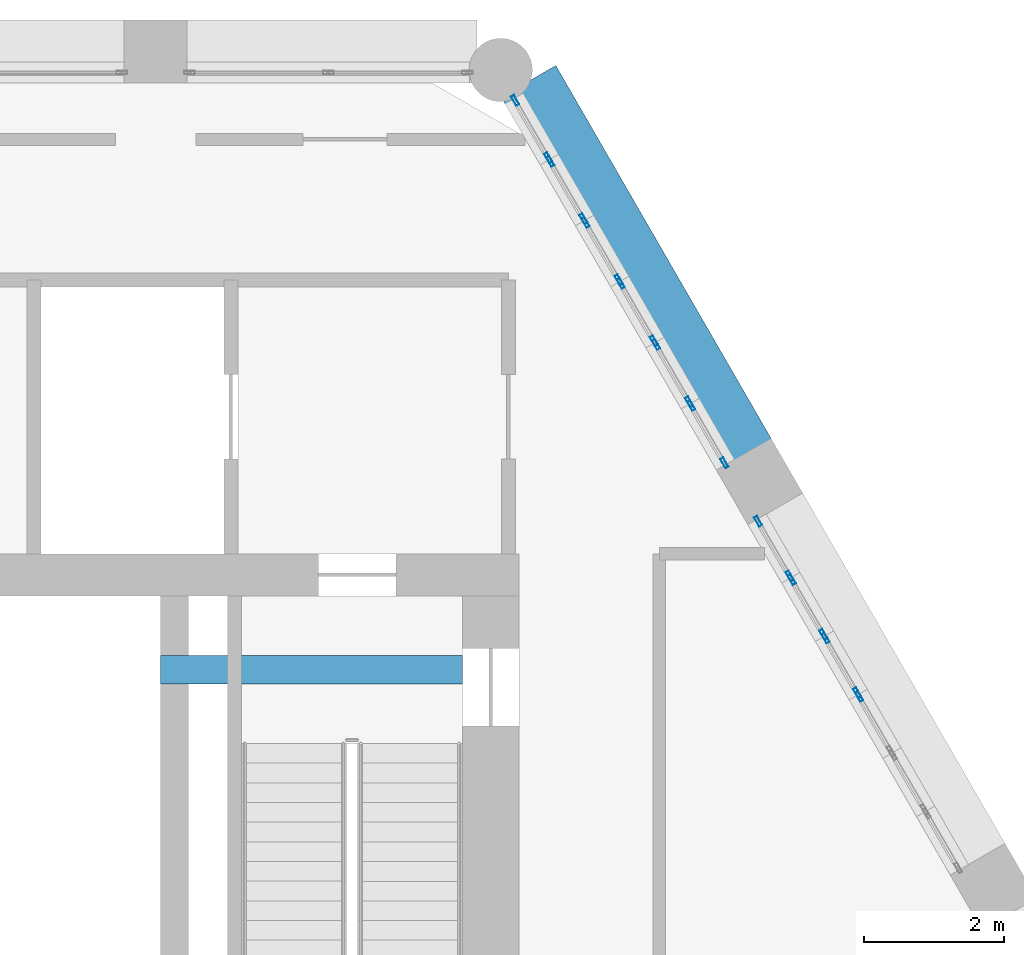
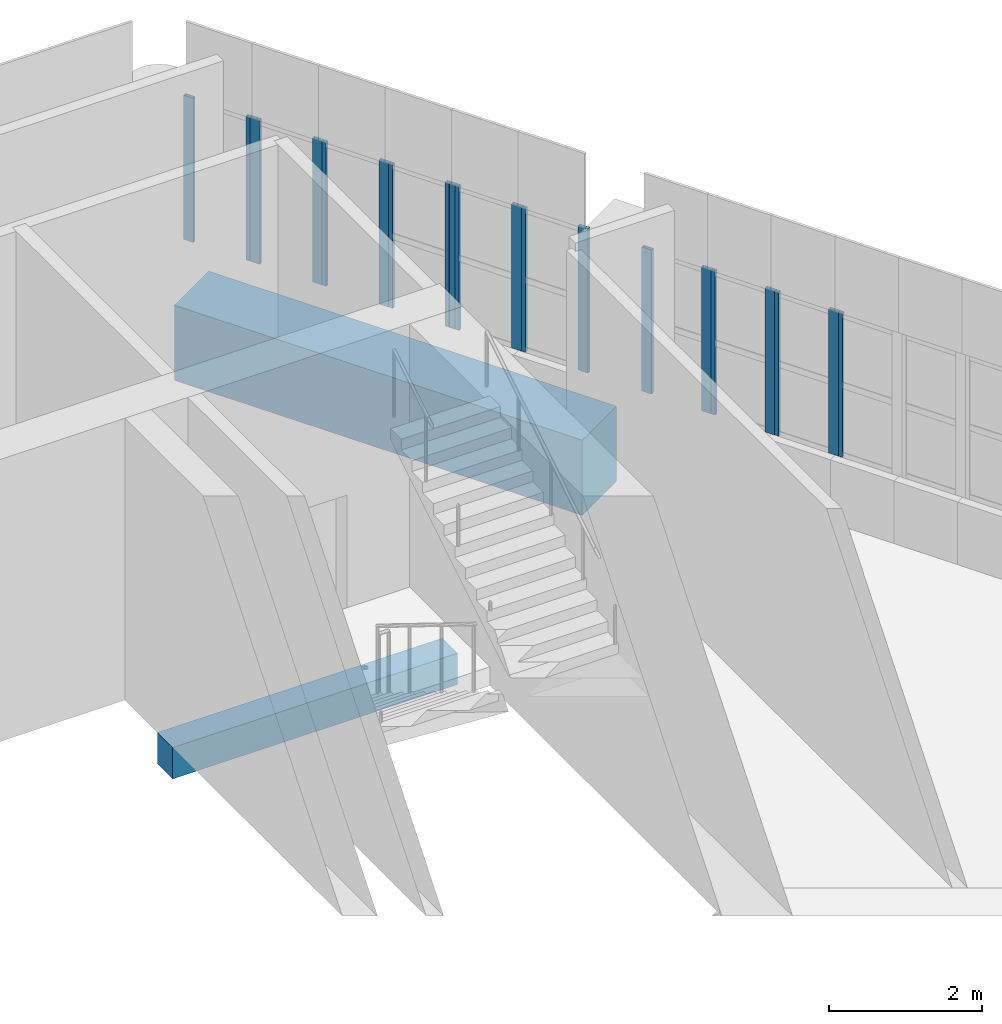
# One storey, part 9 of 25: 19 members, 2 beams, 10 elements without a shape of their own.
"""IFC4 building model written with IfcOpenShell, lengths in metres."""

from ifc_helpers import new_model, si_unit, direction, frame, origin, origin_2d, place, context, subcontext, project, spatial, rectangle, hollow_rectangle, extrude, material, material_profile, profile_set, type_object, element, aggregate, save


model = new_model("IFC4")

# Units and contexts
model_context = context("Model", 3, precision=1e-05, world=origin(), true_north=direction((0.0, 1.0)))
body_context = subcontext(model_context, "Body", "Model", "MODEL_VIEW")
ifc_project = project(units=[si_unit("LENGTHUNIT", "METRE"), si_unit("AREAUNIT", "SQUARE_METRE"), si_unit("VOLUMEUNIT", "CUBIC_METRE"), si_unit("PLANEANGLEUNIT", "RADIAN"), si_unit("MASSUNIT", "GRAM", prefix="KILO")], contexts=[model_context])

# Site, building, storey
site_placement = place(None, origin())
site = spatial("IfcSite", under=ifc_project, at=site_placement, CompositionType="ELEMENT")
building_placement = place(site_placement, origin())
building = spatial("IfcBuilding", under=site, at=building_placement, Name="Ostrander Bayou Hotel Tower", CompositionType="ELEMENT")
storey_placement = place(building_placement, frame((0.0, 0.0, 275.0)))
storey = spatial("IfcBuildingStorey", under=building, at=storey_placement, Name="L68", CompositionType="ELEMENT", Elevation=275.0)

# Curtain wall, member
ifc_material_1 = material(Name="Aluminium and clear glass", Category="aluminium")
curtain_wall_type = type_object("IfcCurtainWallType", Name="CW-CROWN glazed wall", PredefinedType="NOTDEFINED", material=ifc_material_1)
curtain_wall_1_placement = place(storey_placement, origin())
curtain_wall_1 = element("IfcCurtainWall", 1, at=curtain_wall_1_placement, inside=storey, type_object=curtain_wall_type, Name="CW-CROWN L68:NE-2-3", PredefinedType="NOTDEFINED")
ifc_material_2 = material(Name="Aluminium", Category="aluminium")
ifc_material_profile_1 = material_profile(ifc_material_2, hollow_rectangle(XDim=0.050048828125, YDim=0.14990234375, WallThickness=0.00390625, at=origin_2d()))
ifc_profile_set_1 = profile_set([ifc_material_profile_1], Name="Aluminium")
member_type = type_object("IfcMemberType", Name="CW-CR mullion 50 x 150 mm", PredefinedType="MULLION", material=ifc_profile_set_1)
member_1_placement = place(storey_placement, frame((13.34619140625, 7.6708984375, 1.0), z_axis=(0.0, 0.0, 1.0), x_axis=(-0.866048535364, -0.499959932788, 0.0)))
member_1 = element("IfcMember", 2, at=member_1_placement, type_object=member_type, Name="CW-CROWN mullion 2", PredefinedType="MULLION", context=body_context, shape_type="SweptSolid", body=[
    extrude(hollow_rectangle(XDim=0.050048828125, YDim=0.14990234375, WallThickness=0.00390625, at=origin_2d()), origin(), (0.0, 0.0, 1.0), 2.300048828125),
])
aggregate(curtain_wall_1, [member_1])

# Curtain wall, members
curtain_wall_2_placement = place(storey_placement, origin())
curtain_wall_2 = element("IfcCurtainWall", 3, at=curtain_wall_2_placement, inside=storey, type_object=curtain_wall_type, Name="CW-CROWN L68:NE-2-4", PredefinedType="NOTDEFINED")
member_2_placement = place(storey_placement, frame((13.316162109375, 7.722900390625, 1.0), z_axis=(0.0, 0.0, 1.0), x_axis=(-0.866022491007, -0.500005045044, 0.0)))
member_2 = element("IfcMember", 4, at=member_2_placement, type_object=member_type, Name="CW-CROWN mullion 1", PredefinedType="MULLION", context=body_context, shape_type="SweptSolid", body=[
    extrude(hollow_rectangle(XDim=0.050048828125, YDim=0.14990234375, WallThickness=0.00390625, at=origin_2d()), origin(), (0.0, 0.0, 1.0), 2.300048828125),
])
member_3_placement = place(storey_placement, frame((12.8662109375, 8.501953125, 1.0), z_axis=(0.0, 0.0, 1.0), x_axis=(-0.866022491007, -0.500005045044, 0.0)))
member_3 = element("IfcMember", 5, at=member_3_placement, type_object=member_type, Name="CW-CROWN mullion 2", PredefinedType="MULLION", context=body_context, shape_type="SweptSolid", body=[
    extrude(hollow_rectangle(XDim=0.050048828125, YDim=0.14990234375, WallThickness=0.00390625, at=origin_2d()), origin(), (0.0, 0.0, 1.0), 2.300048828125),
])
aggregate(curtain_wall_2, [member_2, member_3])

curtain_wall_3_placement = place(storey_placement, origin())
curtain_wall_3 = element("IfcCurtainWall", 6, at=curtain_wall_3_placement, inside=storey, type_object=curtain_wall_type, Name="CW-CROWN L68:NE-2-5", PredefinedType="NOTDEFINED")
member_4_placement = place(storey_placement, frame((12.836181640625, 8.553955078125, 1.0), z_axis=(0.0, 0.0, 1.0), x_axis=(-0.866022491007, -0.500005045044, 0.0)))
member_4 = element("IfcMember", 7, at=member_4_placement, type_object=member_type, Name="CW-CROWN mullion 1", PredefinedType="MULLION", context=body_context, shape_type="SweptSolid", body=[
    extrude(hollow_rectangle(XDim=0.050048828125, YDim=0.14990234375, WallThickness=0.00390625, at=origin_2d()), origin(), (0.0, 0.0, 1.0), 2.300048828125),
])
member_5_placement = place(storey_placement, frame((12.386474609375, 9.333251953125, 1.0), z_axis=(0.0, 0.0, 1.0), x_axis=(-0.866022491007, -0.500005045044, 0.0)))
member_5 = element("IfcMember", 8, at=member_5_placement, type_object=member_type, Name="CW-CROWN mullion 2", PredefinedType="MULLION", context=body_context, shape_type="SweptSolid", body=[
    extrude(hollow_rectangle(XDim=0.050048828125, YDim=0.14990234375, WallThickness=0.00390625, at=origin_2d()), origin(), (0.0, 0.0, 1.0), 2.300048828125),
])
aggregate(curtain_wall_3, [member_4, member_5])

curtain_wall_4_placement = place(storey_placement, origin())
curtain_wall_4 = element("IfcCurtainWall", 9, at=curtain_wall_4_placement, inside=storey, type_object=curtain_wall_type, Name="CW-CROWN L68:NE-2-6", PredefinedType="NOTDEFINED")
member_6_placement = place(storey_placement, frame((12.3564453125, 9.38525390625, 1.0), z_axis=(0.0, 0.0, 1.0), x_axis=(-0.866022491007, -0.500005045044, 0.0)))
member_6 = element("IfcMember", 10, at=member_6_placement, type_object=member_type, Name="CW-CROWN mullion 1", PredefinedType="MULLION", context=body_context, shape_type="SweptSolid", body=[
    extrude(hollow_rectangle(XDim=0.050048828125, YDim=0.14990234375, WallThickness=0.00390625, at=origin_2d()), origin(), (0.0, 0.0, 1.0), 2.300048828125),
])
member_7_placement = place(storey_placement, frame((11.906494140625, 10.164306640625, 1.0), z_axis=(0.0, 0.0, 1.0), x_axis=(-0.866022491007, -0.500005045044, 0.0)))
member_7 = element("IfcMember", 11, at=member_7_placement, type_object=member_type, Name="CW-CROWN mullion 2", PredefinedType="MULLION", context=body_context, shape_type="SweptSolid", body=[
    extrude(hollow_rectangle(XDim=0.050048828125, YDim=0.14990234375, WallThickness=0.00390625, at=origin_2d()), origin(), (0.0, 0.0, 1.0), 2.300048828125),
])
aggregate(curtain_wall_4, [member_6, member_7])

curtain_wall_5_placement = place(storey_placement, origin())
curtain_wall_5 = element("IfcCurtainWall", 12, at=curtain_wall_5_placement, inside=storey, type_object=curtain_wall_type, Name="CW-CROWN L68:NE-3-1", PredefinedType="NOTDEFINED")
member_8_placement = place(storey_placement, frame((11.426513671875, 10.995849609375, 1.0), z_axis=(0.0, 0.0, 1.0), x_axis=(-0.866026229865, -0.499998569184, 0.0)))
member_8 = element("IfcMember", 13, at=member_8_placement, type_object=member_type, Name="CW-CROWN mullion 1", PredefinedType="MULLION", context=body_context, shape_type="SweptSolid", body=[
    extrude(hollow_rectangle(XDim=0.050048828125, YDim=0.14990234375, WallThickness=0.00390625, at=origin_2d()), origin(), (0.0, 0.0, 1.0), 2.300048828125),
])
member_9_placement = place(storey_placement, frame((10.954833984375, 11.8125, 1.0), z_axis=(0.0, 0.0, 1.0), x_axis=(-0.866026229865, -0.499998569184, 0.0)))
member_9 = element("IfcMember", 14, at=member_9_placement, type_object=member_type, Name="CW-CROWN mullion 2", PredefinedType="MULLION", context=body_context, shape_type="SweptSolid", body=[
    extrude(hollow_rectangle(XDim=0.050048828125, YDim=0.14990234375, WallThickness=0.00390625, at=origin_2d()), origin(), (0.0, 0.0, 1.0), 2.300048828125),
])
aggregate(curtain_wall_5, [member_8, member_9])

curtain_wall_6_placement = place(storey_placement, origin())
curtain_wall_6 = element("IfcCurtainWall", 15, at=curtain_wall_6_placement, inside=storey, type_object=curtain_wall_type, Name="CW-CROWN L68:NE-3-2", PredefinedType="NOTDEFINED")
member_10_placement = place(storey_placement, frame((10.9248046875, 11.864501953125, 1.0), z_axis=(0.0, 0.0, 1.0), x_axis=(-0.866001306597, -0.50004173523, 0.0)))
member_10 = element("IfcMember", 16, at=member_10_placement, type_object=member_type, Name="CW-CROWN mullion 1", PredefinedType="MULLION", context=body_context, shape_type="SweptSolid", body=[
    extrude(hollow_rectangle(XDim=0.050048828125, YDim=0.14990234375, WallThickness=0.00390625, at=origin_2d()), origin(), (0.0, 0.0, 1.0), 2.300048828125),
])
member_11_placement = place(storey_placement, frame((10.453369140625, 12.681396484375, 1.0), z_axis=(0.0, 0.0, 1.0), x_axis=(-0.866001306597, -0.50004173523, 0.0)))
member_11 = element("IfcMember", 17, at=member_11_placement, type_object=member_type, Name="CW-CROWN mullion 2", PredefinedType="MULLION", context=body_context, shape_type="SweptSolid", body=[
    extrude(hollow_rectangle(XDim=0.050048828125, YDim=0.14990234375, WallThickness=0.00390625, at=origin_2d()), origin(), (0.0, 0.0, 1.0), 2.300048828125),
])
aggregate(curtain_wall_6, [member_10, member_11])

curtain_wall_7_placement = place(storey_placement, origin())
curtain_wall_7 = element("IfcCurtainWall", 18, at=curtain_wall_7_placement, inside=storey, type_object=curtain_wall_type, Name="CW-CROWN L68:NE-3-3", PredefinedType="NOTDEFINED")
member_12_placement = place(storey_placement, frame((10.42333984375, 12.7333984375, 1.0), z_axis=(0.0, 0.0, 1.0), x_axis=(-0.866069391736, -0.499923802893, 0.0)))
member_12 = element("IfcMember", 19, at=member_12_placement, type_object=member_type, Name="CW-CROWN mullion 1", PredefinedType="MULLION", context=body_context, shape_type="SweptSolid", body=[
    extrude(hollow_rectangle(XDim=0.050048828125, YDim=0.14990234375, WallThickness=0.00390625, at=origin_2d()), origin(), (0.0, 0.0, 1.0), 2.300048828125),
])
member_13_placement = place(storey_placement, frame((9.951904296875, 13.550048828125, 1.0), z_axis=(0.0, 0.0, 1.0), x_axis=(-0.866069391736, -0.499923802893, 0.0)))
member_13 = element("IfcMember", 20, at=member_13_placement, type_object=member_type, Name="CW-CROWN mullion 2", PredefinedType="MULLION", context=body_context, shape_type="SweptSolid", body=[
    extrude(hollow_rectangle(XDim=0.050048828125, YDim=0.14990234375, WallThickness=0.00390625, at=origin_2d()), origin(), (0.0, 0.0, 1.0), 2.300048828125),
])
aggregate(curtain_wall_7, [member_12, member_13])

curtain_wall_8_placement = place(storey_placement, origin())
curtain_wall_8 = element("IfcCurtainWall", 21, at=curtain_wall_8_placement, inside=storey, type_object=curtain_wall_type, Name="CW-CROWN L68:NE-3-4", PredefinedType="NOTDEFINED")
member_14_placement = place(storey_placement, frame((9.921875, 13.60205078125, 1.0), z_axis=(0.0, 0.0, 1.0), x_axis=(-0.866026229865, -0.499998569184, 0.0)))
member_14 = element("IfcMember", 22, at=member_14_placement, type_object=member_type, Name="CW-CROWN mullion 1", PredefinedType="MULLION", context=body_context, shape_type="SweptSolid", body=[
    extrude(hollow_rectangle(XDim=0.050048828125, YDim=0.14990234375, WallThickness=0.00390625, at=origin_2d()), origin(), (0.0, 0.0, 1.0), 2.300048828125),
])
member_15_placement = place(storey_placement, frame((9.4501953125, 14.4189453125, 1.0), z_axis=(0.0, 0.0, 1.0), x_axis=(-0.866026229865, -0.499998569184, 0.0)))
member_15 = element("IfcMember", 23, at=member_15_placement, type_object=member_type, Name="CW-CROWN mullion 2", PredefinedType="MULLION", context=body_context, shape_type="SweptSolid", body=[
    extrude(hollow_rectangle(XDim=0.050048828125, YDim=0.14990234375, WallThickness=0.00390625, at=origin_2d()), origin(), (0.0, 0.0, 1.0), 2.300048828125),
])
aggregate(curtain_wall_8, [member_14, member_15])

curtain_wall_9_placement = place(storey_placement, origin())
curtain_wall_9 = element("IfcCurtainWall", 24, at=curtain_wall_9_placement, inside=storey, type_object=curtain_wall_type, Name="CW-CROWN L68:NE-3-5", PredefinedType="NOTDEFINED")
member_16_placement = place(storey_placement, frame((9.420166015625, 14.470947265625, 1.0), z_axis=(0.0, 0.0, 1.0), x_axis=(-0.866001306597, -0.50004173523, 0.0)))
member_16 = element("IfcMember", 25, at=member_16_placement, type_object=member_type, Name="CW-CROWN mullion 1", PredefinedType="MULLION", context=body_context, shape_type="SweptSolid", body=[
    extrude(hollow_rectangle(XDim=0.050048828125, YDim=0.14990234375, WallThickness=0.00390625, at=origin_2d()), origin(), (0.0, 0.0, 1.0), 2.300048828125),
])
member_17_placement = place(storey_placement, frame((8.948486328125, 15.28759765625, 1.0), z_axis=(0.0, 0.0, 1.0), x_axis=(-0.866001306597, -0.50004173523, 0.0)))
member_17 = element("IfcMember", 26, at=member_17_placement, type_object=member_type, Name="CW-CROWN mullion 2", PredefinedType="MULLION", context=body_context, shape_type="SweptSolid", body=[
    extrude(hollow_rectangle(XDim=0.050048828125, YDim=0.14990234375, WallThickness=0.00390625, at=origin_2d()), origin(), (0.0, 0.0, 1.0), 2.300048828125),
])
aggregate(curtain_wall_9, [member_16, member_17])

curtain_wall_10_placement = place(storey_placement, origin())
curtain_wall_10 = element("IfcCurtainWall", 27, at=curtain_wall_10_placement, inside=storey, type_object=curtain_wall_type, Name="CW-CROWN L68:NE-3-6", PredefinedType="NOTDEFINED")
member_18_placement = place(storey_placement, frame((8.918701171875, 15.339599609375, 1.0), z_axis=(0.0, 0.0, 1.0), x_axis=(-0.866026229865, -0.499998569184, 0.0)))
member_18 = element("IfcMember", 28, at=member_18_placement, type_object=member_type, Name="CW-CROWN mullion 1", PredefinedType="MULLION", context=body_context, shape_type="SweptSolid", body=[
    extrude(hollow_rectangle(XDim=0.050048828125, YDim=0.14990234375, WallThickness=0.00390625, at=origin_2d()), origin(), (0.0, 0.0, 1.0), 2.300048828125),
])
member_19_placement = place(storey_placement, frame((8.447021484375, 16.156494140625, 1.0), z_axis=(0.0, 0.0, 1.0), x_axis=(-0.866026229865, -0.499998569184, 0.0)))
member_19 = element("IfcMember", 29, at=member_19_placement, type_object=member_type, Name="CW-CROWN mullion 2", PredefinedType="MULLION", context=body_context, shape_type="SweptSolid", body=[
    extrude(hollow_rectangle(XDim=0.050048828125, YDim=0.14990234375, WallThickness=0.00390625, at=origin_2d()), origin(), (0.0, 0.0, 1.0), 2.300048828125),
])
aggregate(curtain_wall_10, [member_18, member_19])

# Beams
ifc_material_3 = material(Name="Concrete f'c 60 MPa", Category="concrete")
ifc_material_profile_2 = material_profile(ifc_material_3, rectangle(XDim=0.39990234375, YDim=0.5, at=origin_2d()))
ifc_profile_set_2 = profile_set([ifc_material_profile_2], Name="Concrete f'c 60 MPa")
beam_type_1 = type_object("IfcBeamType", Name="LD1 landing support beam 400 x 500 mm f'c 60 MPa", PredefinedType="BEAM", material=ifc_profile_set_2)
beam_1_placement = place(storey_placement, frame((7.699951171875, 8.050048828125, -0.550048828125), z_axis=(-1.0, 0.0, 0.0), x_axis=(0.0, -1.0, 0.0)))
element("IfcBeam", 30, at=beam_1_placement, inside=storey, type_object=beam_type_1, Name="LD1 L68 LANDING BEAM 002", PredefinedType="BEAM", context=body_context, shape_type="SweptSolid", body=[
    extrude(rectangle(XDim=0.39990234375, YDim=0.5, at=origin_2d()), origin(), (0.0, 0.0, 1.0), 4.300048828125),
])
ifc_material_4 = material(Name="Concrete f'c 60 MPa", Category="concrete")
ifc_material_profile_3 = material_profile(ifc_material_4, rectangle(XDim=0.89990234375, YDim=1.199951171875, at=origin_2d()))
ifc_profile_set_3 = profile_set([ifc_material_profile_3], Name="Concrete f'c 60 MPa")
beam_type_2 = type_object("IfcBeamType", Name="SP4 spandrel beam 900 x 1200 mm f'c 60 MPa", PredefinedType="SPANDREL", material=ifc_profile_set_3)
beam_2_placement = place(storey_placement, frame((11.71630859375, 11.09375, -0.60009765625), z_axis=(-0.499984362083, 0.866034432152, 0.0), x_axis=(-0.866034432152, -0.499984362083, 0.0)))
element("IfcBeam", 31, at=beam_2_placement, inside=storey, type_object=beam_type_2, Name="SP4 L68 NE-3", PredefinedType="SPANDREL", context=body_context, shape_type="SweptSolid", body=[
    extrude(rectangle(XDim=0.89990234375, YDim=1.199951171875, at=origin_2d()), origin(), (0.0, 0.0, 1.0), 6.159423828125),
])

save(model, "model.ifc")
